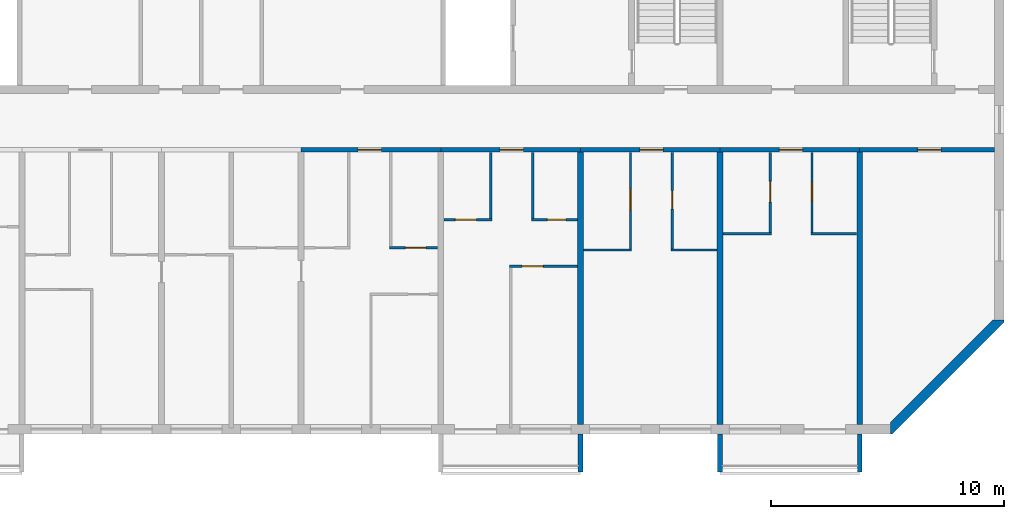
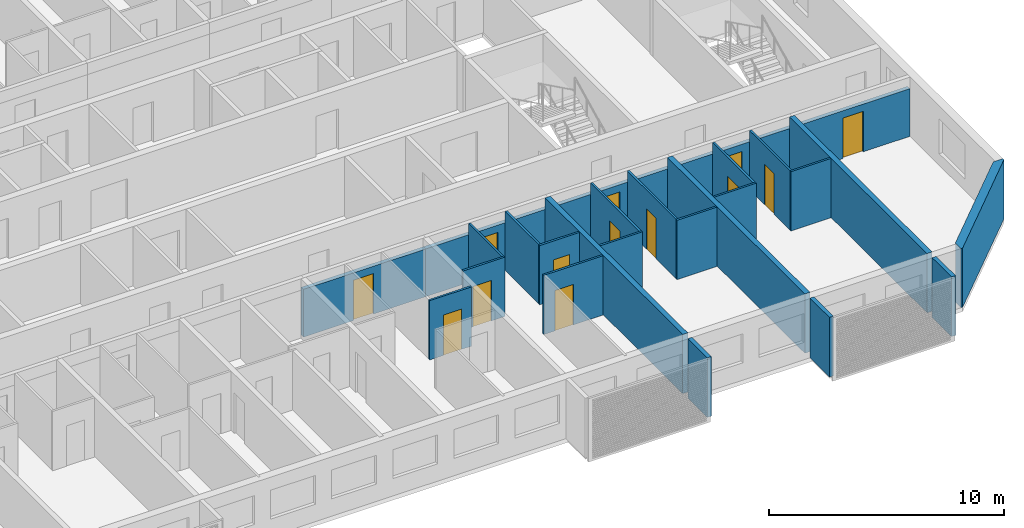
# One storey, part 5 of 26: 26 walls, 13 doors, 13 openings.
"""IFC4 building model written with IfcOpenShell, lengths in metres."""

from ifc_helpers import new_model, si_unit, direction, frame, frame_2d, origin, place, context, subcontext, project, spatial, polyline, rectangle, outline, extrude, source, transform, mapped, material, layer, layer_set, type_object, element, fill, save


model = new_model("IFC4")

# Units and contexts
model_context = context("Model", 3, precision=1e-05, world=origin(), true_north=direction((0.0, 1.0)))
body_context = subcontext(model_context, "Body", "Model", "MODEL_VIEW")
ifc_project = project(units=[si_unit("LENGTHUNIT", "METRE"), si_unit("AREAUNIT", "SQUARE_METRE"), si_unit("VOLUMEUNIT", "CUBIC_METRE"), si_unit("PLANEANGLEUNIT", "RADIAN"), si_unit("MASSUNIT", "GRAM", prefix="KILO")], contexts=[model_context])

# Site, building, storey
site_placement = place(None, origin())
site = spatial("IfcSite", under=ifc_project, at=site_placement, CompositionType="ELEMENT")
building_placement = place(site_placement, origin())
building = spatial("IfcBuilding", under=site, at=building_placement, Name="Poui Terraces", CompositionType="ELEMENT")
storey_placement = place(building_placement, frame((0.0, 0.0, 241.199951171875)))
storey = spatial("IfcBuildingStorey", under=building, at=storey_placement, Name="L67", CompositionType="ELEMENT", Elevation=241.199951171875)

# Wall, opening, door
ifc_material_1 = material(Name="Concrete 50 MPa", Category="concrete")
ifc_layer_1 = layer(ifc_material_1, 0.199951171875)
ifc_layer_set_1 = layer_set([ifc_layer_1], Name="Concrete 50 MPa")
wall_type_1 = type_object("IfcWallType", Name="CORRIDOR WALL 200 50MPa", PredefinedType="SHEAR", material=ifc_layer_set_1)
wall_1_placement = place(storey_placement, frame((54.0, 12.0, 0.0), z_axis=(0.0, 0.0, 1.0), x_axis=(1.0, 0.0, 0.0)))
wall_1 = element("IfcWall", 1, at=wall_1_placement, inside=storey, type_object=wall_type_1, Name="CORRIDOR WALL LINE B BAY 7", PredefinedType="SHEAR", context=body_context, shape_type="SweptSolid", body=[
    extrude(rectangle(XDim=6.0, YDim=0.199951171875, at=frame_2d((3.0, 0.0))), origin(), (0.0, 0.0, 1.0), 2.47998046875),
])
opening_1_placement = place(wall_1_placement, frame((2.449951171875, 0.0, 0.0)))
opening_1 = element("IfcOpeningElement", 2, at=opening_1_placement, cuts=wall_1, Name="Opening FD30S", PredefinedType="OPENING", context=body_context, shape_type="SweptSolid", body=[
    extrude(rectangle(XDim=1.0, YDim=2.10009765625, at=frame_2d((0.5, 1.050048828125))), frame((0.0, 0.10986328125, 0.0), z_axis=(0.0, -1.0, 0.0), x_axis=(1.0, 0.0, 0.0)), (0.0, 0.0, 1.0), 0.219970703125),
])
ifc_material_2 = material(Name="Steel fire door", Category="steel")
door_type_1 = type_object("IfcDoorType", Name="FLAT ENTRANCE DOOR 1000 X 2100", OperationType="NOTDEFINED", PredefinedType="DOOR", material=ifc_material_2)
door_1_placement = place(opening_1_placement, frame((1.0, 0.0, 0.0), z_axis=(0.0, 0.0, 1.0), x_axis=(-1.0, 0.0, 0.0)))
door_1 = element("IfcDoor", 3, at=door_1_placement, inside=storey, type_object=door_type_1, Name="FLAT ENTRANCE DOOR 081", OperationType="SINGLE_SWING_RIGHT", OverallHeight=2.10009765625, OverallWidth=1.0, PredefinedType="DOOR", context=body_context, shape_type="SweptSolid", body=[
    extrude(rectangle(XDim=1.0, YDim=2.10009765625, at=frame_2d((0.5, 1.050048828125))), frame((0.0, 0.02490234375, 0.0), z_axis=(0.0, -1.0, 0.0), x_axis=(1.0, 0.0, 0.0)), (0.0, 0.0, 1.0), 0.050048828125),
])
fill(opening_1, door_1)

wall_2_placement = place(storey_placement, frame((60.0, 12.0, 0.0), z_axis=(0.0, 0.0, 1.0), x_axis=(1.0, 0.0, 0.0)))
wall_2 = element("IfcWall", 4, at=wall_2_placement, inside=storey, type_object=wall_type_1, Name="CORRIDOR WALL LINE B BAY 8", PredefinedType="SHEAR", context=body_context, shape_type="SweptSolid", body=[
    extrude(rectangle(XDim=6.0, YDim=0.199951171875, at=frame_2d((3.0, 0.0))), origin(), (0.0, 0.0, 1.0), 2.47998046875),
])
opening_2_placement = place(wall_2_placement, frame((2.550048828125, 0.0, 0.0)))
opening_2 = element("IfcOpeningElement", 5, at=opening_2_placement, cuts=wall_2, Name="Opening FD30S", PredefinedType="OPENING", context=body_context, shape_type="SweptSolid", body=[
    extrude(rectangle(XDim=1.0, YDim=2.10009765625, at=frame_2d((0.5, 1.050048828125))), frame((0.0, 0.10986328125, 0.0), z_axis=(0.0, -1.0, 0.0), x_axis=(1.0, 0.0, 0.0)), (0.0, 0.0, 1.0), 0.219970703125),
])
door_2_placement = place(opening_2_placement, frame((1.0, 0.0, 0.0), z_axis=(0.0, 0.0, 1.0), x_axis=(-1.0, 0.0, 0.0)))
door_2 = element("IfcDoor", 6, at=door_2_placement, inside=storey, type_object=door_type_1, Name="FLAT ENTRANCE DOOR 085", OperationType="SINGLE_SWING_LEFT", OverallHeight=2.10009765625, OverallWidth=1.0, PredefinedType="DOOR", context=body_context, shape_type="SweptSolid", body=[
    extrude(rectangle(XDim=1.0, YDim=2.10009765625, at=frame_2d((0.5, 1.050048828125))), frame((0.0, 0.02490234375, 0.0), z_axis=(0.0, -1.0, 0.0), x_axis=(1.0, 0.0, 0.0)), (0.0, 0.0, 1.0), 0.050048828125),
])
fill(opening_2, door_2)

wall_3_placement = place(storey_placement, frame((66.0, 12.0, 0.0), z_axis=(0.0, 0.0, 1.0), x_axis=(1.0, 0.0, 0.0)))
wall_3 = element("IfcWall", 7, at=wall_3_placement, inside=storey, type_object=wall_type_1, Name="CORRIDOR WALL LINE B BAY 9", PredefinedType="SHEAR", context=body_context, shape_type="SweptSolid", body=[
    extrude(rectangle(XDim=6.0, YDim=0.199951171875, at=frame_2d((3.0, 0.0))), origin(), (0.0, 0.0, 1.0), 2.47998046875),
])
opening_3_placement = place(wall_3_placement, frame((2.550048828125, 0.0, 0.0)))
opening_3 = element("IfcOpeningElement", 8, at=opening_3_placement, cuts=wall_3, Name="Opening FD30S", PredefinedType="OPENING", context=body_context, shape_type="SweptSolid", body=[
    extrude(rectangle(XDim=1.0, YDim=2.10009765625, at=frame_2d((0.5, 1.050048828125))), frame((0.0, 0.10986328125, 0.0), z_axis=(0.0, -1.0, 0.0), x_axis=(1.0, 0.0, 0.0)), (0.0, 0.0, 1.0), 0.219970703125),
])
door_3_placement = place(opening_3_placement, frame((1.0, 0.0, 0.0), z_axis=(0.0, 0.0, 1.0), x_axis=(-1.0, 0.0, 0.0)))
door_3 = element("IfcDoor", 9, at=door_3_placement, inside=storey, type_object=door_type_1, Name="FLAT ENTRANCE DOOR 089", OperationType="SINGLE_SWING_LEFT", OverallHeight=2.10009765625, OverallWidth=1.0, PredefinedType="DOOR", context=body_context, shape_type="SweptSolid", body=[
    extrude(rectangle(XDim=1.0, YDim=2.10009765625, at=frame_2d((0.5, 1.050048828125))), frame((0.0, 0.02490234375, 0.0), z_axis=(0.0, -1.0, 0.0), x_axis=(1.0, 0.0, 0.0)), (0.0, 0.0, 1.0), 0.050048828125),
])
fill(opening_3, door_3)

wall_4_placement = place(storey_placement, frame((72.0, 12.0, 0.0), z_axis=(0.0, 0.0, 1.0), x_axis=(1.0, 0.0, 0.0)))
wall_4 = element("IfcWall", 10, at=wall_4_placement, inside=storey, type_object=wall_type_1, Name="CORRIDOR WALL LINE B BAY 10", PredefinedType="SHEAR", context=body_context, shape_type="SweptSolid", body=[
    extrude(rectangle(XDim=6.0, YDim=0.199951171875, at=frame_2d((3.0, 0.0))), origin(), (0.0, 0.0, 1.0), 2.47998046875),
])
opening_4_placement = place(wall_4_placement, frame((2.550048828125, 0.0, 0.0)))
opening_4 = element("IfcOpeningElement", 11, at=opening_4_placement, cuts=wall_4, Name="Opening FD30S", PredefinedType="OPENING", context=body_context, shape_type="SweptSolid", body=[
    extrude(rectangle(XDim=1.0, YDim=2.10009765625, at=frame_2d((0.5, 1.050048828125))), frame((0.0, 0.10986328125, 0.0), z_axis=(0.0, -1.0, 0.0), x_axis=(1.0, 0.0, 0.0)), (0.0, 0.0, 1.0), 0.219970703125),
])
door_4_placement = place(opening_4_placement, frame((1.0, 0.0, 0.0), z_axis=(0.0, 0.0, 1.0), x_axis=(-1.0, 0.0, 0.0)))
door_4 = element("IfcDoor", 12, at=door_4_placement, inside=storey, type_object=door_type_1, Name="FLAT ENTRANCE DOOR 092", OperationType="SINGLE_SWING_LEFT", OverallHeight=2.10009765625, OverallWidth=1.0, PredefinedType="DOOR", context=body_context, shape_type="SweptSolid", body=[
    extrude(rectangle(XDim=1.0, YDim=2.10009765625, at=frame_2d((0.5, 1.050048828125))), frame((0.0, 0.02490234375, 0.0), z_axis=(0.0, -1.0, 0.0), x_axis=(1.0, 0.0, 0.0)), (0.0, 0.0, 1.0), 0.050048828125),
])
fill(opening_4, door_4)

wall_5_placement = place(storey_placement, frame((78.0, 12.0, 0.0), z_axis=(0.0, 0.0, 1.0), x_axis=(1.0, 0.0, 0.0)))
wall_5 = element("IfcWall", 13, at=wall_5_placement, inside=storey, type_object=wall_type_1, Name="CORRIDOR WALL LINE B BAY 11", PredefinedType="SHEAR", context=body_context, shape_type="SweptSolid", body=[
    extrude(rectangle(XDim=5.800048828125, YDim=0.199951171875, at=frame_2d((2.89990234375, 0.0))), origin(), (0.0, 0.0, 1.0), 2.47998046875),
])
opening_5_placement = place(wall_5_placement, frame((2.5, 0.0, 0.0)))
opening_5 = element("IfcOpeningElement", 14, at=opening_5_placement, cuts=wall_5, Name="Opening D100", PredefinedType="OPENING", context=body_context, shape_type="SweptSolid", body=[
    extrude(rectangle(XDim=1.0, YDim=2.10009765625, at=frame_2d((0.5, 1.050048828125))), frame((0.0, 0.10986328125, 0.0), z_axis=(0.0, -1.0, 0.0), x_axis=(1.0, 0.0, 0.0)), (0.0, 0.0, 1.0), 0.219970703125),
])
ifc_material_3 = material(Name="Solid core timber door", Category="wood")
door_type_2 = type_object("IfcDoorType", Name="ACCESSIBLE INTERNAL DOOR 1000 X 2100", OperationType="NOTDEFINED", PredefinedType="DOOR", material=ifc_material_3)
door_5_placement = place(opening_5_placement, frame((1.0, 0.0, 0.0), z_axis=(0.0, 0.0, 1.0), x_axis=(-1.0, 0.0, 0.0)))
door_5 = element("IfcDoor", 15, at=door_5_placement, inside=storey, type_object=door_type_2, Name="ACCESSIBLE INTERNAL DOOR 094", OperationType="SINGLE_SWING_RIGHT", OverallHeight=2.10009765625, OverallWidth=1.0, PredefinedType="DOOR", context=body_context, shape_type="SweptSolid", body=[
    extrude(rectangle(XDim=1.0, YDim=2.10009765625, at=frame_2d((0.5, 1.050048828125))), frame((0.0, 0.02490234375, 0.0), z_axis=(0.0, -1.0, 0.0), x_axis=(1.0, 0.0, 0.0)), (0.0, 0.0, 1.0), 0.050048828125),
])
fill(opening_5, door_5)

# Walls
ifc_layer_2 = layer(ifc_material_1, 0.25)
ifc_layer_set_2 = layer_set([ifc_layer_2], Name="Concrete 50 MPa")
wall_type_2 = type_object("IfcWallType", Name="CROSS WALL 250 50MPa", PredefinedType="SHEAR", material=ifc_layer_set_2)
for number, where, z_axis, x_axis, name in (
    (16, (66.0, 0.199951171875, 0.0), (0.0, 0.0, 1.0), (0.0, 1.0, 0.0), "CROSS WALL LINE 12 SOUTH"),
    (17, (72.0, 0.199951171875, 0.0), (0.0, 0.0, 1.0), (0.0, 1.0, 0.0), "CROSS WALL LINE 13 SOUTH"),
    (18, (78.0, 0.199951171875, 0.0), (0.0, 0.0, 1.0), (0.0, 1.0, 0.0), "CROSS WALL LINE 14 SOUTH"),
):
    element("IfcWall", number, at=place(storey_placement, frame(where, z_axis=z_axis, x_axis=x_axis)), inside=storey, type_object=wall_type_2, Name=name, PredefinedType="SHEAR", context=body_context, shape_type="SweptSolid", body=[
        extrude(rectangle(XDim=11.699951171875, YDim=0.25, at=frame_2d((5.85009765625, 0.0))), origin(), (0.0, 0.0, 1.0), 3.080078125),
    ])

# Wall, opening, door
ifc_material_4 = material(Name="Plasterboard partition")
ifc_layer_3 = layer(ifc_material_4, 0.10009765625)
ifc_layer_set_3 = layer_set([ifc_layer_3], Name="Plasterboard partition")
wall_type_3 = type_object("IfcWallType", Name="FLAT PARTITION 100", PredefinedType="PARTITIONING", material=ifc_layer_set_3)
wall_6_placement = place(storey_placement, frame((62.949951171875, 7.0, 0.0), z_axis=(0.0, 0.0, 1.0), x_axis=(1.0, 0.0, 0.0)))
wall_6 = element("IfcWall", 19, at=wall_6_placement, inside=storey, type_object=wall_type_3, Name="FLAT PARTITION 100", PredefinedType="PARTITIONING", context=body_context, shape_type="SweptSolid", body=[
    extrude(rectangle(XDim=2.9150390625, YDim=0.10009765625, at=frame_2d((1.45751953125, 0.0))), origin(), (0.0, 0.0, 1.0), 3.080078125),
])
opening_6_placement = place(wall_6_placement, frame((0.550048828125, 0.0, 0.0)))
opening_6 = element("IfcOpeningElement", 20, at=opening_6_placement, cuts=wall_6, Name="Opening D90", PredefinedType="OPENING", context=body_context, shape_type="SweptSolid", body=[
    extrude(rectangle(XDim=0.89990234375, YDim=2.10009765625, at=frame_2d((0.449951171875, 1.050048828125))), frame((0.0, 0.06005859375, 0.0), z_axis=(0.0, -1.0, 0.0), x_axis=(1.0, 0.0, 0.0)), (0.0, 0.0, 1.0), 0.1201171875),
])
door_type_3 = type_object("IfcDoorType", Name="INTERNAL DOOR 900 X 2100", OperationType="NOTDEFINED", PredefinedType="DOOR", material=ifc_material_3)
door_6_placement = place(opening_6_placement, origin())
door_6 = element("IfcDoor", 21, at=door_6_placement, inside=storey, type_object=door_type_3, Name="INTERNAL DOOR 086", OperationType="SINGLE_SWING_RIGHT", OverallHeight=2.10009765625, OverallWidth=0.89990234375, PredefinedType="DOOR", context=body_context, shape_type="SweptSolid", body=[
    extrude(rectangle(XDim=0.89990234375, YDim=2.10009765625, at=frame_2d((0.449951171875, 1.050048828125))), frame((0.0, 0.02490234375, 0.0), z_axis=(0.0, -1.0, 0.0), x_axis=(1.0, 0.0, 0.0)), (0.0, 0.0, 1.0), 0.050048828125),
])
fill(opening_6, door_6)

# Walls
wall_7_placement = place(storey_placement, frame((66.135009765625, 7.699951171875, 0.0), z_axis=(0.0, 0.0, 1.0), x_axis=(1.0, 0.0, 0.0)))
element("IfcWall", 22, at=wall_7_placement, inside=storey, type_object=wall_type_3, Name="FLAT PARTITION 100", PredefinedType="PARTITIONING", context=body_context, shape_type="SweptSolid", body=[
    extrude(rectangle(XDim=2.06494140625, YDim=0.10009765625, at=frame_2d((1.032470703125, 0.0))), origin(), (0.0, 0.0, 1.0), 3.080078125),
])
wall_8_placement = place(storey_placement, frame((69.89990234375, 7.699951171875, 0.0), z_axis=(0.0, 0.0, 1.0), x_axis=(1.0, 0.0, 0.0)))
element("IfcWall", 23, at=wall_8_placement, inside=storey, type_object=wall_type_3, Name="FLAT PARTITION 100", PredefinedType="PARTITIONING", context=body_context, shape_type="SweptSolid", body=[
    extrude(rectangle(XDim=1.965087890625, YDim=0.10009765625, at=frame_2d((0.982421875, 0.0))), origin(), (0.0, 0.0, 1.0), 3.080078125),
])

# Wall, opening, door
wall_9_placement = place(storey_placement, frame((57.800048828125, 7.800048828125, 0.0), z_axis=(0.0, 0.0, 1.0), x_axis=(1.0, 0.0, 0.0)))
wall_9 = element("IfcWall", 24, at=wall_9_placement, inside=storey, type_object=wall_type_3, Name="FLAT PARTITION 100", PredefinedType="PARTITIONING", context=body_context, shape_type="SweptSolid", body=[
    extrude(rectangle(XDim=2.06494140625, YDim=0.10009765625, at=frame_2d((1.032470703125, 0.0))), origin(), (0.0, 0.0, 1.0), 3.080078125),
])
opening_7_placement = place(wall_9_placement, frame((0.675048828125, 0.0, 0.0)))
opening_7 = element("IfcOpeningElement", 25, at=opening_7_placement, cuts=wall_9, Name="Opening D90", PredefinedType="OPENING", context=body_context, shape_type="SweptSolid", body=[
    extrude(rectangle(XDim=0.89990234375, YDim=2.10009765625, at=frame_2d((0.449951171875, 1.050048828125))), frame((0.0, 0.06005859375, 0.0), z_axis=(0.0, -1.0, 0.0), x_axis=(1.0, 0.0, 0.0)), (0.0, 0.0, 1.0), 0.1201171875),
])
door_7_placement = place(opening_7_placement, origin())
door_7 = element("IfcDoor", 26, at=door_7_placement, inside=storey, type_object=door_type_3, Name="INTERNAL DOOR 082", OperationType="SINGLE_SWING_RIGHT", OverallHeight=2.10009765625, OverallWidth=0.89990234375, PredefinedType="DOOR", context=body_context, shape_type="SweptSolid", body=[
    extrude(rectangle(XDim=0.89990234375, YDim=2.10009765625, at=frame_2d((0.449951171875, 1.050048828125))), frame((0.0, 0.02490234375, 0.0), z_axis=(0.0, -1.0, 0.0), x_axis=(1.0, 0.0, 0.0)), (0.0, 0.0, 1.0), 0.050048828125),
])
fill(opening_7, door_7)

# Walls
wall_10_placement = place(storey_placement, frame((72.135009765625, 8.39990234375, 0.0), z_axis=(0.0, 0.0, 1.0), x_axis=(1.0, 0.0, 0.0)))
element("IfcWall", 27, at=wall_10_placement, inside=storey, type_object=wall_type_3, Name="FLAT PARTITION 100", PredefinedType="PARTITIONING", context=body_context, shape_type="SweptSolid", body=[
    extrude(rectangle(XDim=2.06494140625, YDim=0.10009765625, at=frame_2d((1.032470703125, 0.0))), origin(), (0.0, 0.0, 1.0), 3.080078125),
])
wall_11_placement = place(storey_placement, frame((75.89990234375, 8.39990234375, 0.0), z_axis=(0.0, 0.0, 1.0), x_axis=(1.0, 0.0, 0.0)))
element("IfcWall", 28, at=wall_11_placement, inside=storey, type_object=wall_type_3, Name="FLAT PARTITION 100", PredefinedType="PARTITIONING", context=body_context, shape_type="SweptSolid", body=[
    extrude(rectangle(XDim=1.965087890625, YDim=0.10009765625, at=frame_2d((0.982421875, 0.0))), origin(), (0.0, 0.0, 1.0), 3.080078125),
])

# Wall, opening, door
wall_12_placement = place(storey_placement, frame((60.135009765625, 9.0, 0.0), z_axis=(0.0, 0.0, 1.0), x_axis=(1.0, 0.0, 0.0)))
wall_12 = element("IfcWall", 29, at=wall_12_placement, inside=storey, type_object=wall_type_3, Name="FLAT PARTITION 100", PredefinedType="PARTITIONING", context=body_context, shape_type="SweptSolid", body=[
    extrude(rectangle(XDim=2.06494140625, YDim=0.10009765625, at=frame_2d((1.032470703125, 0.0))), origin(), (0.0, 0.0, 1.0), 3.080078125),
])
opening_8_placement = place(wall_12_placement, frame((0.489990234375, 0.0, 0.0)))
opening_8 = element("IfcOpeningElement", 30, at=opening_8_placement, cuts=wall_12, Name="Opening D90", PredefinedType="OPENING", context=body_context, shape_type="SweptSolid", body=[
    extrude(rectangle(XDim=0.89990234375, YDim=2.10009765625, at=frame_2d((0.449951171875, 1.050048828125))), frame((0.0, 0.06005859375, 0.0), z_axis=(0.0, -1.0, 0.0), x_axis=(1.0, 0.0, 0.0)), (0.0, 0.0, 1.0), 0.1201171875),
])
door_8_placement = place(opening_8_placement, origin())
door_8 = element("IfcDoor", 31, at=door_8_placement, inside=storey, type_object=door_type_3, Name="INTERNAL DOOR 084", OperationType="SINGLE_SWING_RIGHT", OverallHeight=2.10009765625, OverallWidth=0.89990234375, PredefinedType="DOOR", context=body_context, shape_type="SweptSolid", body=[
    extrude(rectangle(XDim=0.89990234375, YDim=2.10009765625, at=frame_2d((0.449951171875, 1.050048828125))), frame((0.0, 0.02490234375, 0.0), z_axis=(0.0, -1.0, 0.0), x_axis=(1.0, 0.0, 0.0)), (0.0, 0.0, 1.0), 0.050048828125),
])
fill(opening_8, door_8)

wall_13_placement = place(storey_placement, frame((63.89990234375, 9.0, 0.0), z_axis=(0.0, 0.0, 1.0), x_axis=(1.0, 0.0, 0.0)))
wall_13 = element("IfcWall", 32, at=wall_13_placement, inside=storey, type_object=wall_type_3, Name="FLAT PARTITION 100", PredefinedType="PARTITIONING", context=body_context, shape_type="SweptSolid", body=[
    extrude(rectangle(XDim=1.965087890625, YDim=0.10009765625, at=frame_2d((0.982421875, 0.0))), origin(), (0.0, 0.0, 1.0), 3.080078125),
])
opening_9_placement = place(wall_13_placement, frame((0.675048828125, 0.0, 0.0)))
opening_9 = element("IfcOpeningElement", 33, at=opening_9_placement, cuts=wall_13, Name="Opening D80", PredefinedType="OPENING", context=body_context, shape_type="SweptSolid", body=[
    extrude(rectangle(XDim=0.800048828125, YDim=2.10009765625, at=frame_2d((0.39990234375, 1.050048828125))), frame((0.0, 0.06005859375, 0.0), z_axis=(0.0, -1.0, 0.0), x_axis=(1.0, 0.0, 0.0)), (0.0, 0.0, 1.0), 0.1201171875),
])
door_type_4 = type_object("IfcDoorType", Name="BATHROOM, LAUNDRY AND STORE DOOR 800 X 2100", OperationType="NOTDEFINED", PredefinedType="DOOR", material=ifc_material_3)
door_9_placement = place(opening_9_placement, origin())
door_9 = element("IfcDoor", 34, at=door_9_placement, inside=storey, type_object=door_type_4, Name="BATHROOM, LAUNDRY AND STORE DOOR 087", OperationType="SINGLE_SWING_LEFT", OverallHeight=2.10009765625, OverallWidth=0.800048828125, PredefinedType="DOOR", context=body_context, shape_type="SweptSolid", body=[
    extrude(rectangle(XDim=0.800048828125, YDim=2.10009765625, at=frame_2d((0.39990234375, 1.050048828125))), frame((0.0, 0.02490234375, 0.0), z_axis=(0.0, -1.0, 0.0), x_axis=(1.0, 0.0, 0.0)), (0.0, 0.0, 1.0), 0.050048828125),
])
fill(opening_9, door_9)

# Walls
for number, where, z_axis, x_axis, name in (
    (35, (62.14990234375, 9.050048828125, 0.0), (0.0, 0.0, 1.0), (0.0, 1.0, 0.0), "FLAT PARTITION 100"),
    (36, (63.949951171875, 9.050048828125, 0.0), (0.0, 0.0, 1.0), (0.0, 1.0, 0.0), "FLAT PARTITION 100"),
):
    element("IfcWall", number, at=place(storey_placement, frame(where, z_axis=z_axis, x_axis=x_axis)), inside=storey, type_object=wall_type_3, Name=name, PredefinedType="PARTITIONING", context=body_context, shape_type="SweptSolid", body=[
        extrude(rectangle(XDim=2.83984375, YDim=0.10009765625, at=frame_2d((1.419921875, 0.0))), origin(), (0.0, 0.0, 1.0), 3.080078125),
    ])

# Wall, opening, door
wall_14_placement = place(storey_placement, frame((68.14990234375, 7.75, 0.0), z_axis=(0.0, 0.0, 1.0), x_axis=(0.0, 1.0, 0.0)))
wall_14 = element("IfcWall", 37, at=wall_14_placement, inside=storey, type_object=wall_type_3, Name="FLAT PARTITION 100", PredefinedType="PARTITIONING", context=body_context, shape_type="SweptSolid", body=[
    extrude(rectangle(XDim=4.139892578125, YDim=0.10009765625, at=frame_2d((2.06982421875, 0.0))), origin(), (0.0, 0.0, 1.0), 3.080078125),
])
opening_10_placement = place(wall_14_placement, frame((1.64990234375, 0.0, 0.0)))
opening_10 = element("IfcOpeningElement", 38, at=opening_10_placement, cuts=wall_14, Name="Opening D90", PredefinedType="OPENING", context=body_context, shape_type="SweptSolid", body=[
    extrude(rectangle(XDim=0.89990234375, YDim=2.10009765625, at=frame_2d((0.449951171875, 1.050048828125))), frame((0.0, 0.06005859375, 0.0), z_axis=(0.0, -1.0, 0.0), x_axis=(1.0, 0.0, 0.0)), (0.0, 0.0, 1.0), 0.1201171875),
])
door_10_placement = place(opening_10_placement, origin())
door_10 = element("IfcDoor", 39, at=door_10_placement, inside=storey, type_object=door_type_3, Name="INTERNAL DOOR 088", OperationType="SINGLE_SWING_RIGHT", OverallHeight=2.10009765625, OverallWidth=0.89990234375, PredefinedType="DOOR", context=body_context, shape_type="SweptSolid", body=[
    extrude(rectangle(XDim=0.89990234375, YDim=2.10009765625, at=frame_2d((0.449951171875, 1.050048828125))), frame((0.0, 0.02490234375, 0.0), z_axis=(0.0, -1.0, 0.0), x_axis=(1.0, 0.0, 0.0)), (0.0, 0.0, 1.0), 0.050048828125),
])
fill(opening_10, door_10)

wall_15_placement = place(storey_placement, frame((69.949951171875, 7.75, 0.0), z_axis=(0.0, 0.0, 1.0), x_axis=(0.0, 1.0, 0.0)))
wall_15 = element("IfcWall", 40, at=wall_15_placement, inside=storey, type_object=wall_type_3, Name="FLAT PARTITION 100", PredefinedType="PARTITIONING", context=body_context, shape_type="SweptSolid", body=[
    extrude(rectangle(XDim=4.139892578125, YDim=0.10009765625, at=frame_2d((2.06982421875, 0.0))), origin(), (0.0, 0.0, 1.0), 3.080078125),
])
opening_11_placement = place(wall_15_placement, frame((1.699951171875, 0.0, 0.0)))
opening_11 = element("IfcOpeningElement", 41, at=opening_11_placement, cuts=wall_15, Name="Opening D80", PredefinedType="OPENING", context=body_context, shape_type="SweptSolid", body=[
    extrude(rectangle(XDim=0.800048828125, YDim=2.10009765625, at=frame_2d((0.39990234375, 1.050048828125))), frame((0.0, 0.06005859375, 0.0), z_axis=(0.0, -1.0, 0.0), x_axis=(1.0, 0.0, 0.0)), (0.0, 0.0, 1.0), 0.1201171875),
])
door_11_placement = place(opening_11_placement, frame((0.800048828125, 0.0, 0.0), z_axis=(0.0, 0.0, 1.0), x_axis=(-1.0, 0.0, 0.0)))
door_11 = element("IfcDoor", 42, at=door_11_placement, inside=storey, type_object=door_type_4, Name="BATHROOM, LAUNDRY AND STORE DOOR 090", OperationType="SINGLE_SWING_RIGHT", OverallHeight=2.10009765625, OverallWidth=0.800048828125, PredefinedType="DOOR", context=body_context, shape_type="SweptSolid", body=[
    extrude(rectangle(XDim=0.800048828125, YDim=2.10009765625, at=frame_2d((0.39990234375, 1.050048828125))), frame((0.0, 0.02490234375, 0.0), z_axis=(0.0, -1.0, 0.0), x_axis=(1.0, 0.0, 0.0)), (0.0, 0.0, 1.0), 0.050048828125),
])
fill(opening_11, door_11)

wall_16_placement = place(storey_placement, frame((74.14990234375, 8.449951171875, 0.0), z_axis=(0.0, 0.0, 1.0), x_axis=(0.0, 1.0, 0.0)))
wall_16 = element("IfcWall", 43, at=wall_16_placement, inside=storey, type_object=wall_type_3, Name="FLAT PARTITION 100", PredefinedType="PARTITIONING", context=body_context, shape_type="SweptSolid", body=[
    extrude(rectangle(XDim=3.43994140625, YDim=0.10009765625, at=frame_2d((1.719970703125, 0.0))), origin(), (0.0, 0.0, 1.0), 3.080078125),
])
opening_12_placement = place(wall_16_placement, frame((1.300048828125, 0.0, 0.0)))
opening_12 = element("IfcOpeningElement", 44, at=opening_12_placement, cuts=wall_16, Name="Opening D90", PredefinedType="OPENING", context=body_context, shape_type="SweptSolid", body=[
    extrude(rectangle(XDim=0.89990234375, YDim=2.10009765625, at=frame_2d((0.449951171875, 1.050048828125))), frame((0.0, 0.06005859375, 0.0), z_axis=(0.0, -1.0, 0.0), x_axis=(1.0, 0.0, 0.0)), (0.0, 0.0, 1.0), 0.1201171875),
])
door_12_placement = place(opening_12_placement, origin())
door_12 = element("IfcDoor", 45, at=door_12_placement, inside=storey, type_object=door_type_3, Name="INTERNAL DOOR 091", OperationType="SINGLE_SWING_LEFT", OverallHeight=2.10009765625, OverallWidth=0.89990234375, PredefinedType="DOOR", context=body_context, shape_type="SweptSolid", body=[
    extrude(rectangle(XDim=0.89990234375, YDim=2.10009765625, at=frame_2d((0.449951171875, 1.050048828125))), frame((0.0, 0.02490234375, 0.0), z_axis=(0.0, -1.0, 0.0), x_axis=(1.0, 0.0, 0.0)), (0.0, 0.0, 1.0), 0.050048828125),
])
fill(opening_12, door_12)

wall_17_placement = place(storey_placement, frame((75.949951171875, 8.449951171875, 0.0), z_axis=(0.0, 0.0, 1.0), x_axis=(0.0, 1.0, 0.0)))
wall_17 = element("IfcWall", 46, at=wall_17_placement, inside=storey, type_object=wall_type_3, Name="FLAT PARTITION 100", PredefinedType="PARTITIONING", context=body_context, shape_type="SweptSolid", body=[
    extrude(rectangle(XDim=3.43994140625, YDim=0.10009765625, at=frame_2d((1.719970703125, 0.0))), origin(), (0.0, 0.0, 1.0), 3.080078125),
])
opening_13_placement = place(wall_17_placement, frame((1.35009765625, 0.0, 0.0)))
opening_13 = element("IfcOpeningElement", 47, at=opening_13_placement, cuts=wall_17, Name="Opening D80", PredefinedType="OPENING", context=body_context, shape_type="SweptSolid", body=[
    extrude(rectangle(XDim=0.800048828125, YDim=2.10009765625, at=frame_2d((0.39990234375, 1.050048828125))), frame((0.0, 0.06005859375, 0.0), z_axis=(0.0, -1.0, 0.0), x_axis=(1.0, 0.0, 0.0)), (0.0, 0.0, 1.0), 0.1201171875),
])
door_13_placement = place(opening_13_placement, frame((0.800048828125, 0.0, 0.0), z_axis=(0.0, 0.0, 1.0), x_axis=(-1.0, 0.0, 0.0)))
door_13 = element("IfcDoor", 48, at=door_13_placement, inside=storey, type_object=door_type_4, Name="BATHROOM, LAUNDRY AND STORE DOOR 093", OperationType="SINGLE_SWING_LEFT", OverallHeight=2.10009765625, OverallWidth=0.800048828125, PredefinedType="DOOR", context=body_context, shape_type="SweptSolid", body=[
    extrude(rectangle(XDim=0.800048828125, YDim=2.10009765625, at=frame_2d((0.39990234375, 1.050048828125))), frame((0.0, 0.02490234375, 0.0), z_axis=(0.0, -1.0, 0.0), x_axis=(1.0, 0.0, 0.0)), (0.0, 0.0, 1.0), 0.050048828125),
])
fill(opening_13, door_13)

# Walls
ifc_material_5 = material(Name="Precast concrete 40 MPa", Category="concrete")
ifc_layer_4 = layer(ifc_material_5, 0.39990234375)
ifc_layer_set_4 = layer_set([ifc_layer_4], Name="Precast concrete 40 MPa")
wall_type_4 = type_object("IfcWallType", Name="TERRACOTTA CLAD CHAMFER WALL 400", PredefinedType="STANDARD", material=ifc_layer_set_4)
wall_18_placement = place(storey_placement, origin())
element("IfcWall", 49, at=wall_18_placement, inside=storey, type_object=wall_type_4, Name="CHAMFER WALL CH01", PredefinedType="STANDARD", context=body_context, shape_type="SweptSolid", body=[
    extrude(outline(polyline([(79.317138671875, -0.199951171875), (79.39990234375, -0.199951171875), (84.199951171875, 4.60009765625), (84.199951171875, 4.682861328125), (83.71728515625, 4.682861328125), (79.317138671875, 0.28271484375), (79.317138671875, -0.199951171875)])), origin(), (0.0, 0.0, 1.0), 3.080078125),
])
ifc_layer_5 = layer(ifc_material_5, 0.199951171875)
ifc_layer_set_5 = layer_set([ifc_layer_5], Name="Precast concrete 40 MPa")
wall_type_5 = type_object("IfcWallType", Name="REAR FIN 200", PredefinedType="STANDARD", material=ifc_layer_set_5)
shared_shape = source(origin(), body_context, "Body", "SweptSolid", [
    extrude(outline(polyline([(0.0, 0.0), (0.2001953125, 0.0), (0.2001953125, 1.650146484375), (0.0, 1.650146484375), (0.0, 0.0)])), origin(), (0.0, 0.0, 1.0), 3.10009765625),
])
for number, where, name in (
    (50, (65.89990234375, -1.85009765625, 0.0), "REAR FIN"),
    (51, (71.89990234375, -1.85009765625, 0.0), "REAR FIN"),
    (52, (77.89990234375, -1.85009765625, 0.0), "REAR FIN"),
):
    element("IfcWall", number, at=place(storey_placement, frame(where)), inside=storey, type_object=wall_type_5, Name=name, PredefinedType="STANDARD", context=body_context, shape_type="MappedRepresentation", body=[
        mapped(shared_shape, transform((0.0, 0.0, 0.0))),
    ])

save(model, "model.ifc")
